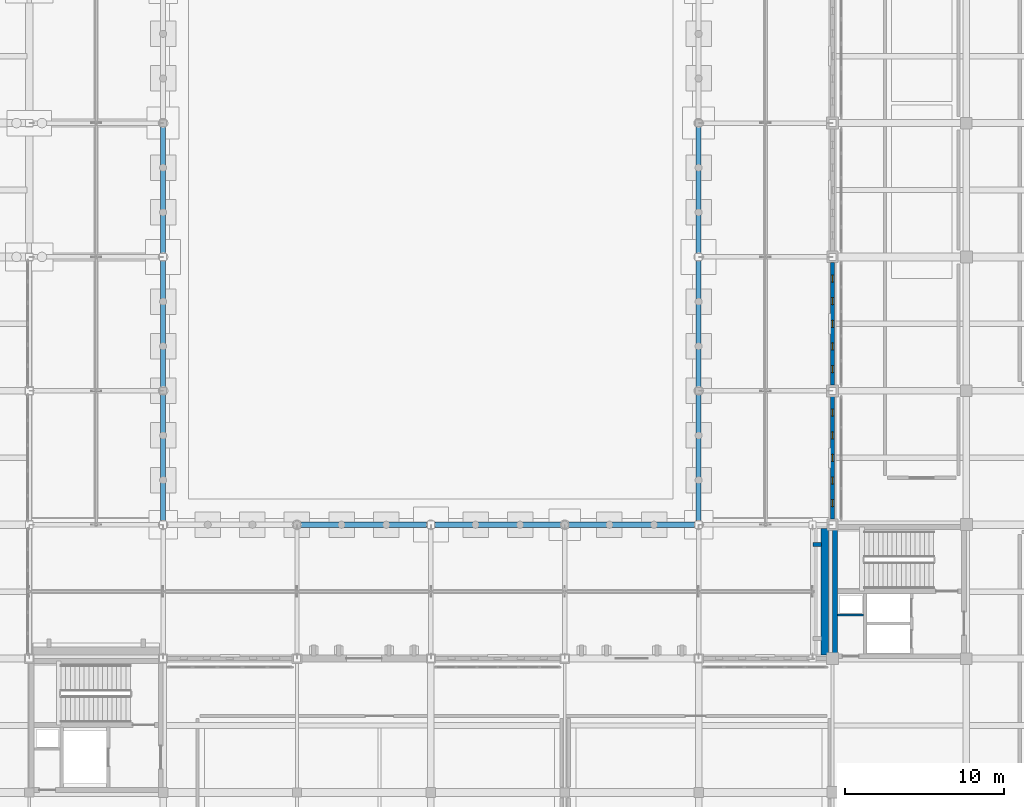
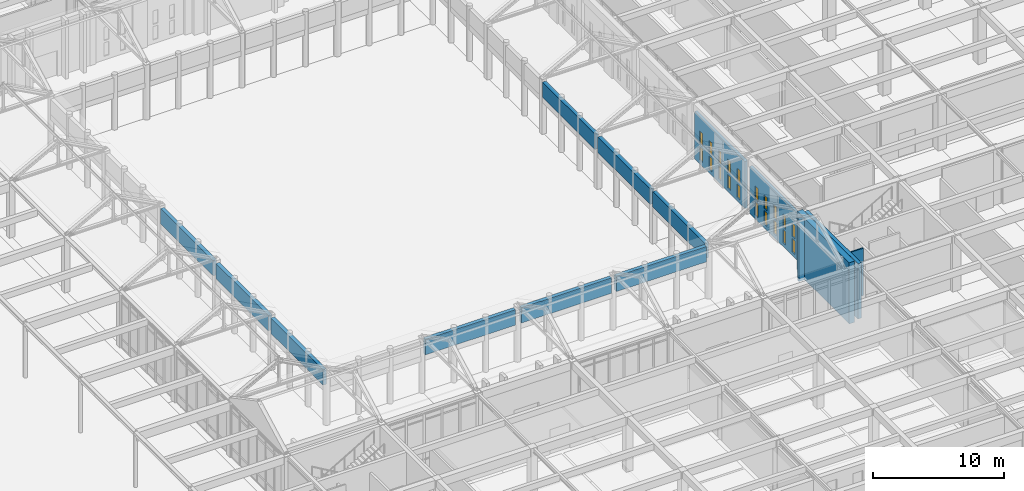
# One storey, part 113 of 143: 20 windows, 15 walls, 20 openings.
"""IFC4 building model written with IfcOpenShell, lengths in metres."""

from ifc_helpers import new_model, si_unit, direction, frame, frame_2d, origin, place, context, subcontext, project, spatial, rectangle, extrude, material, layer, layer_set, type_object, element, fill, save


model = new_model("IFC4")

# Units and contexts
model_context = context("Model", 3, precision=1e-05, world=origin(), true_north=direction((0.0, 1.0)))
body_context = subcontext(model_context, "Body", "Model", "MODEL_VIEW")
ifc_project = project(units=[si_unit("LENGTHUNIT", "METRE"), si_unit("AREAUNIT", "SQUARE_METRE"), si_unit("VOLUMEUNIT", "CUBIC_METRE"), si_unit("PLANEANGLEUNIT", "RADIAN"), si_unit("MASSUNIT", "GRAM", prefix="KILO")], contexts=[model_context])

# Site, building, storey
site_placement = place(None, origin())
site = spatial("IfcSite", under=ifc_project, at=site_placement, CompositionType="ELEMENT")
building_placement = place(site_placement, origin())
building = spatial("IfcBuilding", under=site, at=building_placement, Name="Kveldsbrygga Polytechnic", CompositionType="ELEMENT")
storey_placement = place(building_placement, origin())
storey = spatial("IfcBuildingStorey", under=building, at=storey_placement, Name="L00", CompositionType="ELEMENT", Elevation=0.0)

# Walls
ifc_material_1 = material(Name="Fired clay brick masonry M10", Category="masonry")
ifc_layer_1 = layer(ifc_material_1, 0.320068359375)
ifc_layer_set_1 = layer_set([ifc_layer_1], Name="Fired clay brick masonry M10")
wall_type_1 = type_object("IfcWallType", Name="EW-ARC-320", PredefinedType="SOLIDWALL", material=ifc_layer_set_1)
for number, where, z_axis, x_axis, name in (
    (1, (92.610107421875, 33.60009765625, 3.455078125), (0.0, 0.0, 1.0), (1.0, 0.0, 0.0), "Cloister Arcade Brick Arch Header ARC-HDR-09"),
    (2, (101.06005859375, 33.60009765625, 3.455078125), (0.0, 0.0, 1.0), (1.0, 0.0, 0.0), "Cloister Arcade Brick Arch Header ARC-HDR-10"),
):
    element("IfcWall", number, at=place(storey_placement, frame(where, z_axis=z_axis, x_axis=x_axis)), inside=storey, type_object=wall_type_1, Name=name, PredefinedType="SOLIDWALL", context=body_context, shape_type="SweptSolid", body=[
        extrude(rectangle(XDim=7.929931640625, YDim=0.320068359375, at=frame_2d((3.96484375, 0.0))), origin(), (0.0, 0.0, 1.0), 1.4248046875),
    ])
wall_1_placement = place(storey_placement, frame((109.409912109375, 33.60009765625, 3.455078125), z_axis=(0.0, 0.0, 1.0), x_axis=(1.0, 0.0, 0.0)))
element("IfcWall", 3, at=wall_1_placement, inside=storey, type_object=wall_type_1, Name="Cloister Arcade Brick Arch Header ARC-HDR-11", PredefinedType="SOLIDWALL", context=body_context, shape_type="SweptSolid", body=[
    extrude(rectangle(XDim=7.93017578125, YDim=0.320068359375, at=frame_2d((3.965087890625, 0.0))), origin(), (0.0, 0.0, 1.0), 1.4248046875),
])
wall_2_placement = place(storey_placement, frame((84.0, 33.860107421875, 3.455078125), z_axis=(0.0, 0.0, 1.0), x_axis=(0.0, 1.0, 0.0)))
element("IfcWall", 4, at=wall_2_placement, inside=storey, type_object=wall_type_1, Name="Cloister Arcade Brick Arch Header ARC-HDR-16", PredefinedType="SOLIDWALL", context=body_context, shape_type="SweptSolid", body=[
    extrude(rectangle(XDim=7.954833984375, YDim=0.320068359375, at=frame_2d((3.9775390625, 0.0))), origin(), (0.0, 0.0, 1.0), 1.4248046875),
])
for number, where, z_axis, x_axis, name in (
    (5, (84.0, 42.18505859375, 3.455078125), (0.0, 0.0, 1.0), (0.0, 1.0, 0.0), "Cloister Arcade Brick Arch Header ARC-HDR-17"),
    (6, (84.0, 50.610107421875, 3.455078125), (0.0, 0.0, 1.0), (0.0, 1.0, 0.0), "Cloister Arcade Brick Arch Header ARC-HDR-18"),
):
    element("IfcWall", number, at=place(storey_placement, frame(where, z_axis=z_axis, x_axis=x_axis)), inside=storey, type_object=wall_type_1, Name=name, PredefinedType="SOLIDWALL", context=body_context, shape_type="SweptSolid", body=[
        extrude(rectangle(XDim=8.0048828125, YDim=0.320068359375, at=frame_2d((4.00244140625, 0.0))), origin(), (0.0, 0.0, 1.0), 1.4248046875),
    ])
wall_3_placement = place(storey_placement, frame((117.60009765625, 33.860107421875, 3.455078125), z_axis=(0.0, 0.0, 1.0), x_axis=(0.0, 1.0, 0.0)))
element("IfcWall", 7, at=wall_3_placement, inside=storey, type_object=wall_type_1, Name="Cloister Arcade Brick Arch Header ARC-HDR-21", PredefinedType="SOLIDWALL", context=body_context, shape_type="SweptSolid", body=[
    extrude(rectangle(XDim=7.954833984375, YDim=0.320068359375, at=frame_2d((3.9775390625, 0.0))), origin(), (0.0, 0.0, 1.0), 1.4248046875),
])
for number, where, z_axis, x_axis, name in (
    (8, (117.60009765625, 42.18505859375, 3.455078125), (0.0, 0.0, 1.0), (0.0, 1.0, 0.0), "Cloister Arcade Brick Arch Header ARC-HDR-22"),
    (9, (117.60009765625, 50.610107421875, 3.455078125), (0.0, 0.0, 1.0), (0.0, 1.0, 0.0), "Cloister Arcade Brick Arch Header ARC-HDR-23"),
):
    element("IfcWall", number, at=place(storey_placement, frame(where, z_axis=z_axis, x_axis=x_axis)), inside=storey, type_object=wall_type_1, Name=name, PredefinedType="SOLIDWALL", context=body_context, shape_type="SweptSolid", body=[
        extrude(rectangle(XDim=8.0048828125, YDim=0.320068359375, at=frame_2d((4.00244140625, 0.0))), origin(), (0.0, 0.0, 1.0), 1.4248046875),
    ])
ifc_layer_2 = layer(ifc_material_1, 0.47998046875)
ifc_layer_set_2 = layer_set([ifc_layer_2], Name="Fired clay brick masonry M10")
wall_type_2 = type_object("IfcWallType", Name="EW-BAST-480", PredefinedType="SOLIDWALL", material=ifc_layer_set_2)
wall_4_placement = place(storey_placement, frame((125.52001953125, 25.43994140625, -0.25), z_axis=(0.0, 0.0, 1.0), x_axis=(0.0, 1.0, 0.0)))
element("IfcWall", 10, at=wall_4_placement, inside=storey, type_object=wall_type_2, Name="Corner Stair Bastion Wall BAST-L00-Y-15-03", PredefinedType="SOLIDWALL", context=body_context, shape_type="SweptSolid", body=[
    extrude(rectangle(XDim=7.920166015625, YDim=0.47998046875, at=frame_2d((3.9599609375, 0.0))), origin(), (0.0, 0.0, 1.0), 5.68994140625),
])
ifc_layer_3 = layer(ifc_material_1, 0.260009765625)
ifc_layer_set_3 = layer_set([ifc_layer_3], Name="Fired clay brick masonry M10")
wall_type_3 = type_object("IfcWallType", Name="EW-BUTT-260", PredefinedType="SOLIDWALL", material=ifc_layer_set_3)
wall_5_placement = place(storey_placement, frame((125.300048828125, 32.35009765625, -0.25), z_axis=(0.0, 0.0, 1.0), x_axis=(-1.0, 0.0, 0.0)))
element("IfcWall", 11, at=wall_5_placement, inside=storey, type_object=wall_type_3, Name="Gothic Brick Buttress Pier BCLAS-L00-Y-15-03-2", PredefinedType="SOLIDWALL", context=body_context, shape_type="SweptSolid", body=[
    extrude(rectangle(XDim=0.52001953125, YDim=0.260009765625, at=frame_2d((0.260009765625, 0.0))), origin(), (0.0, 0.0, 1.0), 5.68994140625),
])

# Wall, openings, windows
ifc_layer_4 = layer(ifc_material_1, 0.239990234375)
ifc_layer_set_4 = layer_set([ifc_layer_4], Name="Fired clay brick masonry M10")
wall_type_4 = type_object("IfcWallType", Name="EW-SCRN-240", PredefinedType="SOLIDWALL", material=ifc_layer_set_4)
wall_6_placement = place(storey_placement, frame((126.0, 33.945068359375, 0.0), z_axis=(0.0, 0.0, 1.0), x_axis=(0.0, 1.0, 0.0)))
wall_6 = element("IfcWall", 12, at=wall_6_placement, inside=storey, type_object=wall_type_4, Name="Perforated Brick Corridor Screen Wall SCRW-L00-Y-15-04", PredefinedType="SOLIDWALL", context=body_context, shape_type="SweptSolid", body=[
    extrude(rectangle(XDim=7.69482421875, YDim=0.239990234375, at=frame_2d((3.847412109375, 0.0))), origin(), (0.0, 0.0, 1.0), 4.389892578125),
])
opening_1_placement = place(wall_6_placement, frame((0.78955078125, 0.0, 0.35009765625)))
opening_1 = element("IfcOpeningElement", 13, at=opening_1_placement, cuts=wall_6, Name="Opening W-48", PredefinedType="OPENING", context=body_context, shape_type="SweptSolid", body=[
    extrude(rectangle(XDim=0.43994140625, YDim=1.25, at=frame_2d((0.219970703125, 0.625))), frame((0.0, 0.1298828125, 0.0), z_axis=(0.0, -1.0, 0.0), x_axis=(1.0, 0.0, 0.0)), (0.0, 0.0, 1.0), 0.260009765625),
])
opening_2_placement = place(wall_6_placement, frame((2.20849609375, 0.0, 0.35009765625)))
opening_2 = element("IfcOpeningElement", 14, at=opening_2_placement, cuts=wall_6, Name="Opening W-48", PredefinedType="OPENING", context=body_context, shape_type="SweptSolid", body=[
    extrude(rectangle(XDim=0.43994140625, YDim=1.25, at=frame_2d((0.219970703125, 0.625))), frame((0.0, 0.1298828125, 0.0), z_axis=(0.0, -1.0, 0.0), x_axis=(1.0, 0.0, 0.0)), (0.0, 0.0, 1.0), 0.260009765625),
])
opening_3_placement = place(wall_6_placement, frame((3.62744140625, 0.0, 0.35009765625)))
opening_3 = element("IfcOpeningElement", 15, at=opening_3_placement, cuts=wall_6, Name="Opening W-48", PredefinedType="OPENING", context=body_context, shape_type="SweptSolid", body=[
    extrude(rectangle(XDim=0.43994140625, YDim=1.25, at=frame_2d((0.219970703125, 0.625))), frame((0.0, 0.1298828125, 0.0), z_axis=(0.0, -1.0, 0.0), x_axis=(1.0, 0.0, 0.0)), (0.0, 0.0, 1.0), 0.260009765625),
])
opening_4_placement = place(wall_6_placement, frame((5.04638671875, 0.0, 0.35009765625)))
opening_4 = element("IfcOpeningElement", 16, at=opening_4_placement, cuts=wall_6, Name="Opening W-48", PredefinedType="OPENING", context=body_context, shape_type="SweptSolid", body=[
    extrude(rectangle(XDim=0.43994140625, YDim=1.25, at=frame_2d((0.219970703125, 0.625))), frame((0.0, 0.1298828125, 0.0), z_axis=(0.0, -1.0, 0.0), x_axis=(1.0, 0.0, 0.0)), (0.0, 0.0, 1.0), 0.260009765625),
])
opening_5_placement = place(wall_6_placement, frame((6.465576171875, 0.0, 0.35009765625)))
opening_5 = element("IfcOpeningElement", 17, at=opening_5_placement, cuts=wall_6, Name="Opening W-48", PredefinedType="OPENING", context=body_context, shape_type="SweptSolid", body=[
    extrude(rectangle(XDim=0.43994140625, YDim=1.25, at=frame_2d((0.219970703125, 0.625))), frame((0.0, 0.1298828125, 0.0), z_axis=(0.0, -1.0, 0.0), x_axis=(1.0, 0.0, 0.0)), (0.0, 0.0, 1.0), 0.260009765625),
])
opening_6_placement = place(wall_6_placement, frame((0.78955078125, 0.0, 1.800048828125)))
opening_6 = element("IfcOpeningElement", 18, at=opening_6_placement, cuts=wall_6, Name="Opening W-48", PredefinedType="OPENING", context=body_context, shape_type="SweptSolid", body=[
    extrude(rectangle(XDim=0.43994140625, YDim=1.25, at=frame_2d((0.219970703125, 0.625))), frame((0.0, 0.1298828125, 0.0), z_axis=(0.0, -1.0, 0.0), x_axis=(1.0, 0.0, 0.0)), (0.0, 0.0, 1.0), 0.260009765625),
])
opening_7_placement = place(wall_6_placement, frame((2.20849609375, 0.0, 1.800048828125)))
opening_7 = element("IfcOpeningElement", 19, at=opening_7_placement, cuts=wall_6, Name="Opening W-48", PredefinedType="OPENING", context=body_context, shape_type="SweptSolid", body=[
    extrude(rectangle(XDim=0.43994140625, YDim=1.25, at=frame_2d((0.219970703125, 0.625))), frame((0.0, 0.1298828125, 0.0), z_axis=(0.0, -1.0, 0.0), x_axis=(1.0, 0.0, 0.0)), (0.0, 0.0, 1.0), 0.260009765625),
])
opening_8_placement = place(wall_6_placement, frame((3.62744140625, 0.0, 1.800048828125)))
opening_8 = element("IfcOpeningElement", 20, at=opening_8_placement, cuts=wall_6, Name="Opening W-48", PredefinedType="OPENING", context=body_context, shape_type="SweptSolid", body=[
    extrude(rectangle(XDim=0.43994140625, YDim=1.25, at=frame_2d((0.219970703125, 0.625))), frame((0.0, 0.1298828125, 0.0), z_axis=(0.0, -1.0, 0.0), x_axis=(1.0, 0.0, 0.0)), (0.0, 0.0, 1.0), 0.260009765625),
])
opening_9_placement = place(wall_6_placement, frame((5.04638671875, 0.0, 1.800048828125)))
opening_9 = element("IfcOpeningElement", 21, at=opening_9_placement, cuts=wall_6, Name="Opening W-48", PredefinedType="OPENING", context=body_context, shape_type="SweptSolid", body=[
    extrude(rectangle(XDim=0.43994140625, YDim=1.25, at=frame_2d((0.219970703125, 0.625))), frame((0.0, 0.1298828125, 0.0), z_axis=(0.0, -1.0, 0.0), x_axis=(1.0, 0.0, 0.0)), (0.0, 0.0, 1.0), 0.260009765625),
])
opening_10_placement = place(wall_6_placement, frame((6.465576171875, 0.0, 1.800048828125)))
opening_10 = element("IfcOpeningElement", 22, at=opening_10_placement, cuts=wall_6, Name="Opening W-48", PredefinedType="OPENING", context=body_context, shape_type="SweptSolid", body=[
    extrude(rectangle(XDim=0.43994140625, YDim=1.25, at=frame_2d((0.219970703125, 0.625))), frame((0.0, 0.1298828125, 0.0), z_axis=(0.0, -1.0, 0.0), x_axis=(1.0, 0.0, 0.0)), (0.0, 0.0, 1.0), 0.260009765625),
])
ifc_material_2 = material(Name="Insulated triple low-E glass", Category="glass")
window_type = type_object("IfcWindowType", Name="WN-SCRN-044x125", PartitioningType="SINGLE_PANEL", PredefinedType="WINDOW", material=ifc_material_2)
window_1_placement = place(opening_1_placement, origin())
window_1 = element("IfcWindow", 23, at=window_1_placement, inside=storey, type_object=window_type, Name="Perforated Screen Aperture L00-Y-15-04-1", OverallHeight=1.25, OverallWidth=0.43994140625, PartitioningType="SINGLE_PANEL", PredefinedType="WINDOW", context=body_context, shape_type="SweptSolid", body=[
    extrude(rectangle(XDim=0.43994140625, YDim=1.25, at=frame_2d((0.219970703125, 0.625))), frame((0.0, 0.030029296875, 0.0), z_axis=(0.0, -1.0, 0.0), x_axis=(1.0, 0.0, 0.0)), (0.0, 0.0, 1.0), 0.06005859375),
])
fill(opening_1, window_1)
window_2_placement = place(opening_2_placement, origin())
window_2 = element("IfcWindow", 24, at=window_2_placement, inside=storey, type_object=window_type, Name="Perforated Screen Aperture L00-Y-15-04-2", OverallHeight=1.25, OverallWidth=0.43994140625, PartitioningType="SINGLE_PANEL", PredefinedType="WINDOW", context=body_context, shape_type="SweptSolid", body=[
    extrude(rectangle(XDim=0.43994140625, YDim=1.25, at=frame_2d((0.219970703125, 0.625))), frame((0.0, 0.030029296875, 0.0), z_axis=(0.0, -1.0, 0.0), x_axis=(1.0, 0.0, 0.0)), (0.0, 0.0, 1.0), 0.06005859375),
])
fill(opening_2, window_2)
window_3_placement = place(opening_3_placement, origin())
window_3 = element("IfcWindow", 25, at=window_3_placement, inside=storey, type_object=window_type, Name="Perforated Screen Aperture L00-Y-15-04-3", OverallHeight=1.25, OverallWidth=0.43994140625, PartitioningType="SINGLE_PANEL", PredefinedType="WINDOW", context=body_context, shape_type="SweptSolid", body=[
    extrude(rectangle(XDim=0.43994140625, YDim=1.25, at=frame_2d((0.219970703125, 0.625))), frame((0.0, 0.030029296875, 0.0), z_axis=(0.0, -1.0, 0.0), x_axis=(1.0, 0.0, 0.0)), (0.0, 0.0, 1.0), 0.06005859375),
])
fill(opening_3, window_3)
window_4_placement = place(opening_4_placement, origin())
window_4 = element("IfcWindow", 26, at=window_4_placement, inside=storey, type_object=window_type, Name="Perforated Screen Aperture L00-Y-15-04-4", OverallHeight=1.25, OverallWidth=0.43994140625, PartitioningType="SINGLE_PANEL", PredefinedType="WINDOW", context=body_context, shape_type="SweptSolid", body=[
    extrude(rectangle(XDim=0.43994140625, YDim=1.25, at=frame_2d((0.219970703125, 0.625))), frame((0.0, 0.030029296875, 0.0), z_axis=(0.0, -1.0, 0.0), x_axis=(1.0, 0.0, 0.0)), (0.0, 0.0, 1.0), 0.06005859375),
])
fill(opening_4, window_4)
window_5_placement = place(opening_5_placement, origin())
window_5 = element("IfcWindow", 27, at=window_5_placement, inside=storey, type_object=window_type, Name="Perforated Screen Aperture L00-Y-15-04-5", OverallHeight=1.25, OverallWidth=0.43994140625, PartitioningType="SINGLE_PANEL", PredefinedType="WINDOW", context=body_context, shape_type="SweptSolid", body=[
    extrude(rectangle(XDim=0.43994140625, YDim=1.25, at=frame_2d((0.219970703125, 0.625))), frame((0.0, 0.030029296875, 0.0), z_axis=(0.0, -1.0, 0.0), x_axis=(1.0, 0.0, 0.0)), (0.0, 0.0, 1.0), 0.06005859375),
])
fill(opening_5, window_5)
window_6_placement = place(opening_6_placement, origin())
window_6 = element("IfcWindow", 28, at=window_6_placement, inside=storey, type_object=window_type, Name="Perforated Screen Aperture L00-Y-15-04-6", OverallHeight=1.25, OverallWidth=0.43994140625, PartitioningType="SINGLE_PANEL", PredefinedType="WINDOW", context=body_context, shape_type="SweptSolid", body=[
    extrude(rectangle(XDim=0.43994140625, YDim=1.25, at=frame_2d((0.219970703125, 0.625))), frame((0.0, 0.030029296875, 0.0), z_axis=(0.0, -1.0, 0.0), x_axis=(1.0, 0.0, 0.0)), (0.0, 0.0, 1.0), 0.06005859375),
])
fill(opening_6, window_6)
window_7_placement = place(opening_7_placement, origin())
window_7 = element("IfcWindow", 29, at=window_7_placement, inside=storey, type_object=window_type, Name="Perforated Screen Aperture L00-Y-15-04-7", OverallHeight=1.25, OverallWidth=0.43994140625, PartitioningType="SINGLE_PANEL", PredefinedType="WINDOW", context=body_context, shape_type="SweptSolid", body=[
    extrude(rectangle(XDim=0.43994140625, YDim=1.25, at=frame_2d((0.219970703125, 0.625))), frame((0.0, 0.030029296875, 0.0), z_axis=(0.0, -1.0, 0.0), x_axis=(1.0, 0.0, 0.0)), (0.0, 0.0, 1.0), 0.06005859375),
])
fill(opening_7, window_7)
window_8_placement = place(opening_8_placement, origin())
window_8 = element("IfcWindow", 30, at=window_8_placement, inside=storey, type_object=window_type, Name="Perforated Screen Aperture L00-Y-15-04-8", OverallHeight=1.25, OverallWidth=0.43994140625, PartitioningType="SINGLE_PANEL", PredefinedType="WINDOW", context=body_context, shape_type="SweptSolid", body=[
    extrude(rectangle(XDim=0.43994140625, YDim=1.25, at=frame_2d((0.219970703125, 0.625))), frame((0.0, 0.030029296875, 0.0), z_axis=(0.0, -1.0, 0.0), x_axis=(1.0, 0.0, 0.0)), (0.0, 0.0, 1.0), 0.06005859375),
])
fill(opening_8, window_8)
window_9_placement = place(opening_9_placement, origin())
window_9 = element("IfcWindow", 31, at=window_9_placement, inside=storey, type_object=window_type, Name="Perforated Screen Aperture L00-Y-15-04-9", OverallHeight=1.25, OverallWidth=0.43994140625, PartitioningType="SINGLE_PANEL", PredefinedType="WINDOW", context=body_context, shape_type="SweptSolid", body=[
    extrude(rectangle(XDim=0.43994140625, YDim=1.25, at=frame_2d((0.219970703125, 0.625))), frame((0.0, 0.030029296875, 0.0), z_axis=(0.0, -1.0, 0.0), x_axis=(1.0, 0.0, 0.0)), (0.0, 0.0, 1.0), 0.06005859375),
])
fill(opening_9, window_9)
window_10_placement = place(opening_10_placement, origin())
window_10 = element("IfcWindow", 32, at=window_10_placement, inside=storey, type_object=window_type, Name="Perforated Screen Aperture L00-Y-15-04-10", OverallHeight=1.25, OverallWidth=0.43994140625, PartitioningType="SINGLE_PANEL", PredefinedType="WINDOW", context=body_context, shape_type="SweptSolid", body=[
    extrude(rectangle(XDim=0.43994140625, YDim=1.25, at=frame_2d((0.219970703125, 0.625))), frame((0.0, 0.030029296875, 0.0), z_axis=(0.0, -1.0, 0.0), x_axis=(1.0, 0.0, 0.0)), (0.0, 0.0, 1.0), 0.06005859375),
])
fill(opening_10, window_10)

wall_7_placement = place(storey_placement, frame((126.0, 42.360107421875, 0.0), z_axis=(0.0, 0.0, 1.0), x_axis=(0.0, 1.0, 0.0)))
wall_7 = element("IfcWall", 33, at=wall_7_placement, inside=storey, type_object=wall_type_4, Name="Perforated Brick Corridor Screen Wall SCRW-L00-Y-15-05", PredefinedType="SOLIDWALL", context=body_context, shape_type="SweptSolid", body=[
    extrude(rectangle(XDim=7.69482421875, YDim=0.239990234375, at=frame_2d((3.847412109375, 0.0))), origin(), (0.0, 0.0, 1.0), 4.389892578125),
])
opening_11_placement = place(wall_7_placement, frame((0.78955078125, 0.0, 0.35009765625)))
opening_11 = element("IfcOpeningElement", 34, at=opening_11_placement, cuts=wall_7, Name="Opening W-48", PredefinedType="OPENING", context=body_context, shape_type="SweptSolid", body=[
    extrude(rectangle(XDim=0.43994140625, YDim=1.25, at=frame_2d((0.219970703125, 0.625))), frame((0.0, 0.1298828125, 0.0), z_axis=(0.0, -1.0, 0.0), x_axis=(1.0, 0.0, 0.0)), (0.0, 0.0, 1.0), 0.260009765625),
])
opening_12_placement = place(wall_7_placement, frame((2.20849609375, 0.0, 0.35009765625)))
opening_12 = element("IfcOpeningElement", 35, at=opening_12_placement, cuts=wall_7, Name="Opening W-48", PredefinedType="OPENING", context=body_context, shape_type="SweptSolid", body=[
    extrude(rectangle(XDim=0.43994140625, YDim=1.25, at=frame_2d((0.219970703125, 0.625))), frame((0.0, 0.1298828125, 0.0), z_axis=(0.0, -1.0, 0.0), x_axis=(1.0, 0.0, 0.0)), (0.0, 0.0, 1.0), 0.260009765625),
])
opening_13_placement = place(wall_7_placement, frame((3.62744140625, 0.0, 0.35009765625)))
opening_13 = element("IfcOpeningElement", 36, at=opening_13_placement, cuts=wall_7, Name="Opening W-48", PredefinedType="OPENING", context=body_context, shape_type="SweptSolid", body=[
    extrude(rectangle(XDim=0.43994140625, YDim=1.25, at=frame_2d((0.219970703125, 0.625))), frame((0.0, 0.1298828125, 0.0), z_axis=(0.0, -1.0, 0.0), x_axis=(1.0, 0.0, 0.0)), (0.0, 0.0, 1.0), 0.260009765625),
])
opening_14_placement = place(wall_7_placement, frame((5.04638671875, 0.0, 0.35009765625)))
opening_14 = element("IfcOpeningElement", 37, at=opening_14_placement, cuts=wall_7, Name="Opening W-48", PredefinedType="OPENING", context=body_context, shape_type="SweptSolid", body=[
    extrude(rectangle(XDim=0.43994140625, YDim=1.25, at=frame_2d((0.219970703125, 0.625))), frame((0.0, 0.1298828125, 0.0), z_axis=(0.0, -1.0, 0.0), x_axis=(1.0, 0.0, 0.0)), (0.0, 0.0, 1.0), 0.260009765625),
])
opening_15_placement = place(wall_7_placement, frame((6.465576171875, 0.0, 0.35009765625)))
opening_15 = element("IfcOpeningElement", 38, at=opening_15_placement, cuts=wall_7, Name="Opening W-48", PredefinedType="OPENING", context=body_context, shape_type="SweptSolid", body=[
    extrude(rectangle(XDim=0.43994140625, YDim=1.25, at=frame_2d((0.219970703125, 0.625))), frame((0.0, 0.1298828125, 0.0), z_axis=(0.0, -1.0, 0.0), x_axis=(1.0, 0.0, 0.0)), (0.0, 0.0, 1.0), 0.260009765625),
])
opening_16_placement = place(wall_7_placement, frame((0.78955078125, 0.0, 1.800048828125)))
opening_16 = element("IfcOpeningElement", 39, at=opening_16_placement, cuts=wall_7, Name="Opening W-48", PredefinedType="OPENING", context=body_context, shape_type="SweptSolid", body=[
    extrude(rectangle(XDim=0.43994140625, YDim=1.25, at=frame_2d((0.219970703125, 0.625))), frame((0.0, 0.1298828125, 0.0), z_axis=(0.0, -1.0, 0.0), x_axis=(1.0, 0.0, 0.0)), (0.0, 0.0, 1.0), 0.260009765625),
])
opening_17_placement = place(wall_7_placement, frame((2.20849609375, 0.0, 1.800048828125)))
opening_17 = element("IfcOpeningElement", 40, at=opening_17_placement, cuts=wall_7, Name="Opening W-48", PredefinedType="OPENING", context=body_context, shape_type="SweptSolid", body=[
    extrude(rectangle(XDim=0.43994140625, YDim=1.25, at=frame_2d((0.219970703125, 0.625))), frame((0.0, 0.1298828125, 0.0), z_axis=(0.0, -1.0, 0.0), x_axis=(1.0, 0.0, 0.0)), (0.0, 0.0, 1.0), 0.260009765625),
])
opening_18_placement = place(wall_7_placement, frame((3.62744140625, 0.0, 1.800048828125)))
opening_18 = element("IfcOpeningElement", 41, at=opening_18_placement, cuts=wall_7, Name="Opening W-48", PredefinedType="OPENING", context=body_context, shape_type="SweptSolid", body=[
    extrude(rectangle(XDim=0.43994140625, YDim=1.25, at=frame_2d((0.219970703125, 0.625))), frame((0.0, 0.1298828125, 0.0), z_axis=(0.0, -1.0, 0.0), x_axis=(1.0, 0.0, 0.0)), (0.0, 0.0, 1.0), 0.260009765625),
])
opening_19_placement = place(wall_7_placement, frame((5.04638671875, 0.0, 1.800048828125)))
opening_19 = element("IfcOpeningElement", 42, at=opening_19_placement, cuts=wall_7, Name="Opening W-48", PredefinedType="OPENING", context=body_context, shape_type="SweptSolid", body=[
    extrude(rectangle(XDim=0.43994140625, YDim=1.25, at=frame_2d((0.219970703125, 0.625))), frame((0.0, 0.1298828125, 0.0), z_axis=(0.0, -1.0, 0.0), x_axis=(1.0, 0.0, 0.0)), (0.0, 0.0, 1.0), 0.260009765625),
])
opening_20_placement = place(wall_7_placement, frame((6.465576171875, 0.0, 1.800048828125)))
opening_20 = element("IfcOpeningElement", 43, at=opening_20_placement, cuts=wall_7, Name="Opening W-48", PredefinedType="OPENING", context=body_context, shape_type="SweptSolid", body=[
    extrude(rectangle(XDim=0.43994140625, YDim=1.25, at=frame_2d((0.219970703125, 0.625))), frame((0.0, 0.1298828125, 0.0), z_axis=(0.0, -1.0, 0.0), x_axis=(1.0, 0.0, 0.0)), (0.0, 0.0, 1.0), 0.260009765625),
])
window_11_placement = place(opening_11_placement, origin())
window_11 = element("IfcWindow", 44, at=window_11_placement, inside=storey, type_object=window_type, Name="Perforated Screen Aperture L00-Y-15-05-1", OverallHeight=1.25, OverallWidth=0.43994140625, PartitioningType="SINGLE_PANEL", PredefinedType="WINDOW", context=body_context, shape_type="SweptSolid", body=[
    extrude(rectangle(XDim=0.43994140625, YDim=1.25, at=frame_2d((0.219970703125, 0.625))), frame((0.0, 0.030029296875, 0.0), z_axis=(0.0, -1.0, 0.0), x_axis=(1.0, 0.0, 0.0)), (0.0, 0.0, 1.0), 0.06005859375),
])
fill(opening_11, window_11)
window_12_placement = place(opening_12_placement, origin())
window_12 = element("IfcWindow", 45, at=window_12_placement, inside=storey, type_object=window_type, Name="Perforated Screen Aperture L00-Y-15-05-2", OverallHeight=1.25, OverallWidth=0.43994140625, PartitioningType="SINGLE_PANEL", PredefinedType="WINDOW", context=body_context, shape_type="SweptSolid", body=[
    extrude(rectangle(XDim=0.43994140625, YDim=1.25, at=frame_2d((0.219970703125, 0.625))), frame((0.0, 0.030029296875, 0.0), z_axis=(0.0, -1.0, 0.0), x_axis=(1.0, 0.0, 0.0)), (0.0, 0.0, 1.0), 0.06005859375),
])
fill(opening_12, window_12)
window_13_placement = place(opening_13_placement, origin())
window_13 = element("IfcWindow", 46, at=window_13_placement, inside=storey, type_object=window_type, Name="Perforated Screen Aperture L00-Y-15-05-3", OverallHeight=1.25, OverallWidth=0.43994140625, PartitioningType="SINGLE_PANEL", PredefinedType="WINDOW", context=body_context, shape_type="SweptSolid", body=[
    extrude(rectangle(XDim=0.43994140625, YDim=1.25, at=frame_2d((0.219970703125, 0.625))), frame((0.0, 0.030029296875, 0.0), z_axis=(0.0, -1.0, 0.0), x_axis=(1.0, 0.0, 0.0)), (0.0, 0.0, 1.0), 0.06005859375),
])
fill(opening_13, window_13)
window_14_placement = place(opening_14_placement, origin())
window_14 = element("IfcWindow", 47, at=window_14_placement, inside=storey, type_object=window_type, Name="Perforated Screen Aperture L00-Y-15-05-4", OverallHeight=1.25, OverallWidth=0.43994140625, PartitioningType="SINGLE_PANEL", PredefinedType="WINDOW", context=body_context, shape_type="SweptSolid", body=[
    extrude(rectangle(XDim=0.43994140625, YDim=1.25, at=frame_2d((0.219970703125, 0.625))), frame((0.0, 0.030029296875, 0.0), z_axis=(0.0, -1.0, 0.0), x_axis=(1.0, 0.0, 0.0)), (0.0, 0.0, 1.0), 0.06005859375),
])
fill(opening_14, window_14)
window_15_placement = place(opening_15_placement, origin())
window_15 = element("IfcWindow", 48, at=window_15_placement, inside=storey, type_object=window_type, Name="Perforated Screen Aperture L00-Y-15-05-5", OverallHeight=1.25, OverallWidth=0.43994140625, PartitioningType="SINGLE_PANEL", PredefinedType="WINDOW", context=body_context, shape_type="SweptSolid", body=[
    extrude(rectangle(XDim=0.43994140625, YDim=1.25, at=frame_2d((0.219970703125, 0.625))), frame((0.0, 0.030029296875, 0.0), z_axis=(0.0, -1.0, 0.0), x_axis=(1.0, 0.0, 0.0)), (0.0, 0.0, 1.0), 0.06005859375),
])
fill(opening_15, window_15)
window_16_placement = place(opening_16_placement, origin())
window_16 = element("IfcWindow", 49, at=window_16_placement, inside=storey, type_object=window_type, Name="Perforated Screen Aperture L00-Y-15-05-6", OverallHeight=1.25, OverallWidth=0.43994140625, PartitioningType="SINGLE_PANEL", PredefinedType="WINDOW", context=body_context, shape_type="SweptSolid", body=[
    extrude(rectangle(XDim=0.43994140625, YDim=1.25, at=frame_2d((0.219970703125, 0.625))), frame((0.0, 0.030029296875, 0.0), z_axis=(0.0, -1.0, 0.0), x_axis=(1.0, 0.0, 0.0)), (0.0, 0.0, 1.0), 0.06005859375),
])
fill(opening_16, window_16)
window_17_placement = place(opening_17_placement, origin())
window_17 = element("IfcWindow", 50, at=window_17_placement, inside=storey, type_object=window_type, Name="Perforated Screen Aperture L00-Y-15-05-7", OverallHeight=1.25, OverallWidth=0.43994140625, PartitioningType="SINGLE_PANEL", PredefinedType="WINDOW", context=body_context, shape_type="SweptSolid", body=[
    extrude(rectangle(XDim=0.43994140625, YDim=1.25, at=frame_2d((0.219970703125, 0.625))), frame((0.0, 0.030029296875, 0.0), z_axis=(0.0, -1.0, 0.0), x_axis=(1.0, 0.0, 0.0)), (0.0, 0.0, 1.0), 0.06005859375),
])
fill(opening_17, window_17)
window_18_placement = place(opening_18_placement, origin())
window_18 = element("IfcWindow", 51, at=window_18_placement, inside=storey, type_object=window_type, Name="Perforated Screen Aperture L00-Y-15-05-8", OverallHeight=1.25, OverallWidth=0.43994140625, PartitioningType="SINGLE_PANEL", PredefinedType="WINDOW", context=body_context, shape_type="SweptSolid", body=[
    extrude(rectangle(XDim=0.43994140625, YDim=1.25, at=frame_2d((0.219970703125, 0.625))), frame((0.0, 0.030029296875, 0.0), z_axis=(0.0, -1.0, 0.0), x_axis=(1.0, 0.0, 0.0)), (0.0, 0.0, 1.0), 0.06005859375),
])
fill(opening_18, window_18)
window_19_placement = place(opening_19_placement, origin())
window_19 = element("IfcWindow", 52, at=window_19_placement, inside=storey, type_object=window_type, Name="Perforated Screen Aperture L00-Y-15-05-9", OverallHeight=1.25, OverallWidth=0.43994140625, PartitioningType="SINGLE_PANEL", PredefinedType="WINDOW", context=body_context, shape_type="SweptSolid", body=[
    extrude(rectangle(XDim=0.43994140625, YDim=1.25, at=frame_2d((0.219970703125, 0.625))), frame((0.0, 0.030029296875, 0.0), z_axis=(0.0, -1.0, 0.0), x_axis=(1.0, 0.0, 0.0)), (0.0, 0.0, 1.0), 0.06005859375),
])
fill(opening_19, window_19)
window_20_placement = place(opening_20_placement, origin())
window_20 = element("IfcWindow", 53, at=window_20_placement, inside=storey, type_object=window_type, Name="Perforated Screen Aperture L00-Y-15-05-10", OverallHeight=1.25, OverallWidth=0.43994140625, PartitioningType="SINGLE_PANEL", PredefinedType="WINDOW", context=body_context, shape_type="SweptSolid", body=[
    extrude(rectangle(XDim=0.43994140625, YDim=1.25, at=frame_2d((0.219970703125, 0.625))), frame((0.0, 0.030029296875, 0.0), z_axis=(0.0, -1.0, 0.0), x_axis=(1.0, 0.0, 0.0)), (0.0, 0.0, 1.0), 0.06005859375),
])
fill(opening_20, window_20)

# Walls
ifc_material_3 = material(Name="Moisture-resistant masonry M10", Category="masonry")
ifc_layer_5 = layer(ifc_material_3, 0.1298828125)
ifc_layer_set_5 = layer_set([ifc_layer_5], Name="Moisture-resistant masonry M10")
wall_type_5 = type_object("IfcWallType", Name="IW-SAN-130", PredefinedType="PARTITIONING", material=ifc_layer_set_5)
wall_8_placement = place(storey_placement, frame((126.320068359375, 27.93994140625, 0.0), z_axis=(0.0, 0.0, 1.0), x_axis=(1.0, 0.0, 0.0)))
element("IfcWall", 54, at=wall_8_placement, inside=storey, type_object=wall_type_5, Name="Core AWC Divider C1-L00-W-RSR", PredefinedType="PARTITIONING", context=body_context, shape_type="SweptSolid", body=[
    extrude(rectangle(XDim=1.619873046875, YDim=0.1298828125, at=frame_2d((0.81005859375, 0.0))), origin(), (0.0, 0.0, 1.0), 4.389892578125),
])
ifc_material_4 = material(Name="Concrete C45/55", Category="concrete")
ifc_layer_6 = layer(ifc_material_4, 0.300048828125)
ifc_layer_set_6 = layer_set([ifc_layer_6], Name="Concrete C45/55")
wall_type_6 = type_object("IfcWallType", Name="WL-CORE-300", PredefinedType="SHEAR", material=ifc_layer_set_6)
wall_9_placement = place(storey_placement, frame((126.14990234375, 25.35009765625, 0.0), z_axis=(0.0, 0.0, 1.0), x_axis=(0.0, 1.0, 0.0)))
element("IfcWall", 55, at=wall_9_placement, inside=storey, type_object=wall_type_6, Name="Core C1 Shear Wall C1-L00-SW-W", PredefinedType="SHEAR", context=body_context, shape_type="SweptSolid", body=[
    extrude(rectangle(XDim=8.099853515625, YDim=0.300048828125, at=frame_2d((4.0498046875, 0.0))), origin(), (0.0, 0.0, 1.0), 5.139892578125),
])

save(model, "model.ifc")
